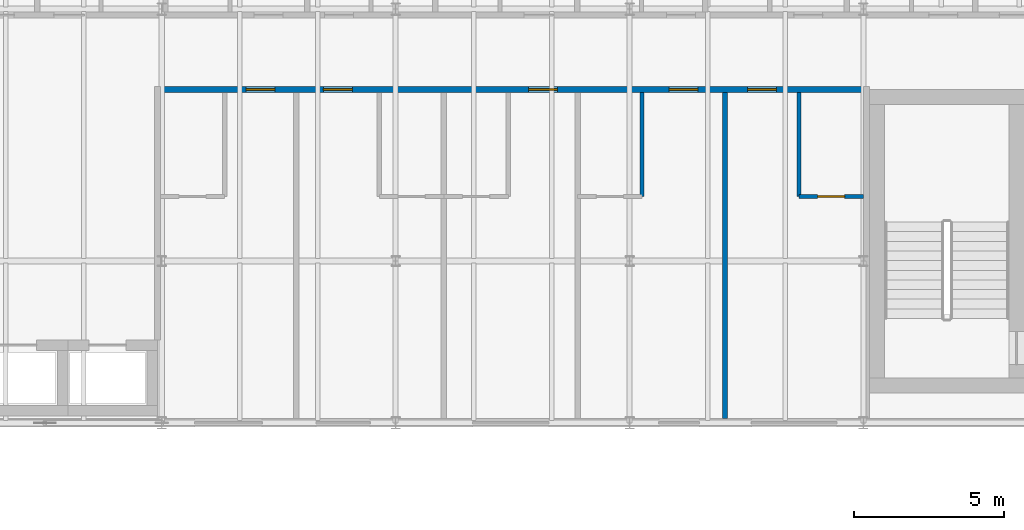
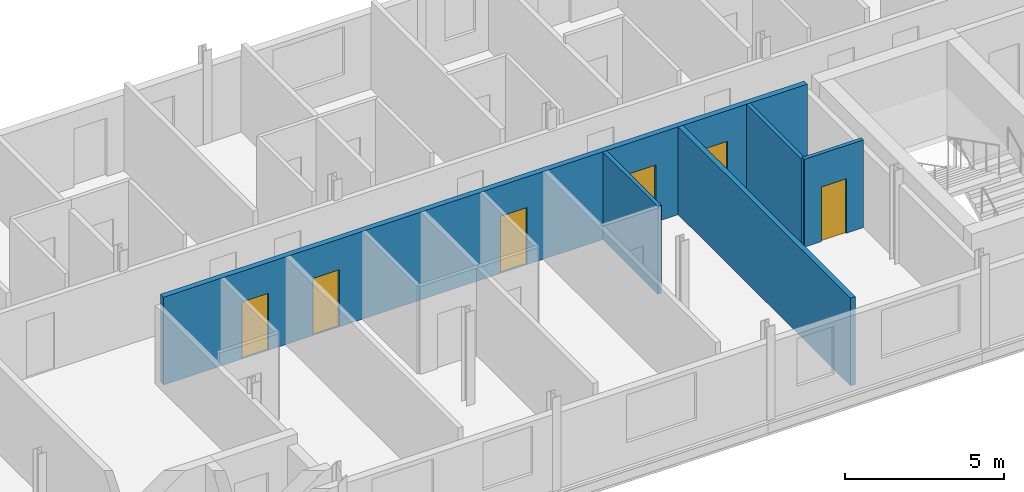
# One storey, part 17 of 25: 6 doors, 5 walls, 6 openings.
"""IFC4 building model written with IfcOpenShell, lengths in metres."""

from ifc_helpers import new_model, si_unit, direction, frame, frame_2d, origin, place, context, subcontext, project, spatial, rectangle, extrude, material, layer, layer_set, type_object, element, fill, save


model = new_model("IFC4")

# Units and contexts
model_context = context("Model", 3, precision=1e-05, world=origin(), true_north=direction((0.0, 1.0)))
body_context = subcontext(model_context, "Body", "Model", "MODEL_VIEW")
ifc_project = project(units=[si_unit("LENGTHUNIT", "METRE"), si_unit("AREAUNIT", "SQUARE_METRE"), si_unit("VOLUMEUNIT", "CUBIC_METRE"), si_unit("PLANEANGLEUNIT", "RADIAN"), si_unit("MASSUNIT", "GRAM", prefix="KILO")], contexts=[model_context])

# Site, building, storey
site_placement = place(None, origin())
site = spatial("IfcSite", under=ifc_project, at=site_placement, CompositionType="ELEMENT")
building_placement = place(site_placement, origin())
building = spatial("IfcBuilding", under=site, at=building_placement, Name="Sefraquen Railside Congress Hotel", CompositionType="ELEMENT")
storey_placement = place(building_placement, frame((0.0, 0.0, 39.0)))
storey = spatial("IfcBuildingStorey", under=building, at=storey_placement, Name="L09", CompositionType="ELEMENT", Elevation=39.0)

# Walls
ifc_material_1 = material(Name="Moisture-resistant gypsum board", Category="gypsum")
ifc_layer_1 = layer(ifc_material_1, 0.139892578125)
ifc_layer_set_1 = layer_set([ifc_layer_1], Name="Moisture-resistant gypsum board")
wall_type_1 = type_object("IfcWallType", Name="TW-PW-140", PredefinedType="PARTITIONING", material=ifc_layer_set_1)
for number, where, z_axis, x_axis, name in (
    (1, (56.820068359375, 103.550048828125, 0.0), (0.0, 0.0, 1.0), (0.0, 1.0, 0.0), "En-suite bathroom east wall RM-020"),
    (2, (62.050048828125, 103.550048828125, 0.0), (0.0, 0.0, 1.0), (0.0, 1.0, 0.0), "En-suite bathroom west wall RM-021"),
):
    element("IfcWall", number, at=place(storey_placement, frame(where, z_axis=z_axis, x_axis=x_axis)), inside=storey, type_object=wall_type_1, Name=name, PredefinedType="PARTITIONING", context=body_context, shape_type="SweptSolid", body=[
        extrude(rectangle(XDim=3.469970703125, YDim=0.139892578125, at=frame_2d((1.73486328125, 0.0))), origin(), (0.0, 0.0, 1.0), 3.3798828125),
    ])

# Wall, opening, door
wall_1_placement = place(storey_placement, frame((62.050048828125, 103.550048828125, 0.0), z_axis=(0.0, 0.0, 1.0), x_axis=(1.0, 0.0, 0.0)))
wall_1 = element("IfcWall", 3, at=wall_1_placement, inside=storey, type_object=wall_type_1, Name="En-suite bathroom south wall RM-021", PredefinedType="PARTITIONING", context=body_context, shape_type="SweptSolid", body=[
    extrude(rectangle(XDim=2.14990234375, YDim=0.139892578125, at=frame_2d((1.074951171875, 0.0))), origin(), (0.0, 0.0, 1.0), 3.3798828125),
])
opening_1_placement = place(wall_1_placement, frame((0.625, 0.0, 0.0)))
opening_1 = element("IfcOpeningElement", 4, at=opening_1_placement, cuts=wall_1, Name="Opening ID-02", PredefinedType="OPENING", context=body_context, shape_type="SweptSolid", body=[
    extrude(rectangle(XDim=0.89990234375, YDim=2.10009765625, at=frame_2d((0.449951171875, 1.050048828125))), frame((0.0, 0.079833984375, 0.0), z_axis=(0.0, -1.0, 0.0), x_axis=(1.0, 0.0, 0.0)), (0.0, 0.0, 1.0), 0.159912109375),
])
ifc_material_2 = material(Name="Lacquered cedar joinery", Category="wood")
door_type_1 = type_object("IfcDoorType", Name="TD-ID-02", OperationType="NOTDEFINED", PredefinedType="DOOR", material=ifc_material_2)
door_1_placement = place(opening_1_placement, frame((0.89990234375, 0.0, 0.0), z_axis=(0.0, 0.0, 1.0), x_axis=(-1.0, 0.0, 0.0)))
door_1 = element("IfcDoor", 5, at=door_1_placement, inside=storey, type_object=door_type_1, Name="En-suite bathroom door RM-021", OperationType="SINGLE_SWING_LEFT", OverallHeight=2.10009765625, OverallWidth=0.89990234375, PredefinedType="DOOR", context=body_context, shape_type="SweptSolid", body=[
    extrude(rectangle(XDim=0.89990234375, YDim=2.10009765625, at=frame_2d((0.449951171875, 1.050048828125))), frame((0.0, 0.02490234375, 0.0), z_axis=(0.0, -1.0, 0.0), x_axis=(1.0, 0.0, 0.0)), (0.0, 0.0, 1.0), 0.050048828125),
])
fill(opening_1, door_1)

# Wall
ifc_material_3 = material(Name="Acoustic gypsum board on metal stud", Category="gypsum")
ifc_layer_2 = layer(ifc_material_3, 0.179931640625)
ifc_layer_set_2 = layer_set([ifc_layer_2], Name="Acoustic gypsum board on metal stud")
wall_type_2 = type_object("IfcWallType", Name="TW-PW-180", PredefinedType="PARTITIONING", material=ifc_layer_set_2)
wall_2_placement = place(storey_placement, frame((59.5849609375, 96.139892578125, 0.0), z_axis=(0.0, 0.0, 1.0), x_axis=(0.0, 1.0, 0.0)))
element("IfcWall", 6, at=wall_2_placement, inside=storey, type_object=wall_type_2, Name="South guest room demising wall RM-020", PredefinedType="PARTITIONING", context=body_context, shape_type="SweptSolid", body=[
    extrude(rectangle(XDim=10.880126953125, YDim=0.179931640625, at=frame_2d((5.43994140625, 0.0))), origin(), (0.0, 0.0, 1.0), 3.3798828125),
])

# Wall, openings, doors
ifc_layer_3 = layer(ifc_material_3, 0.199951171875)
ifc_layer_set_3 = layer_set([ifc_layer_3], Name="Acoustic gypsum board on metal stud")
wall_type_3 = type_object("IfcWallType", Name="TW-PW-200", PredefinedType="PARTITIONING", material=ifc_layer_set_3)
wall_3_placement = place(storey_placement, frame((40.760009765625, 107.1201171875, 0.0), z_axis=(0.0, 0.0, 1.0), x_axis=(1.0, 0.0, 0.0)))
wall_3 = element("IfcWall", 7, at=wall_3_placement, inside=storey, type_object=wall_type_3, Name="Hotel L09 south-mid corridor fire-rated partition", PredefinedType="PARTITIONING", context=body_context, shape_type="SweptSolid", body=[
    extrude(rectangle(XDim=23.43994140625, YDim=0.199951171875, at=frame_2d((11.719970703125, 0.0))), origin(), (0.0, 0.0, 1.0), 3.3798828125),
])
opening_2_placement = place(wall_3_placement, frame((2.85498046875, 0.0, 0.0)))
opening_2 = element("IfcOpeningElement", 8, at=opening_2_placement, cuts=wall_3, Name="Opening GD-02", PredefinedType="OPENING", context=body_context, shape_type="SweptSolid", body=[
    extrude(rectangle(XDim=0.9599609375, YDim=2.199951171875, at=frame_2d((0.47998046875, 1.10009765625))), frame((0.0, 0.10986328125, 0.0), z_axis=(0.0, -1.0, 0.0), x_axis=(1.0, 0.0, 0.0)), (0.0, 0.0, 1.0), 0.219970703125),
])
opening_3_placement = place(wall_3_placement, frame((5.43310546875, 0.0, 0.0)))
opening_3 = element("IfcOpeningElement", 9, at=opening_3_placement, cuts=wall_3, Name="Opening GD-02", PredefinedType="OPENING", context=body_context, shape_type="SweptSolid", body=[
    extrude(rectangle(XDim=0.9599609375, YDim=2.199951171875, at=frame_2d((0.47998046875, 1.10009765625))), frame((0.0, 0.10986328125, 0.0), z_axis=(0.0, -1.0, 0.0), x_axis=(1.0, 0.0, 0.0)), (0.0, 0.0, 1.0), 0.219970703125),
])
opening_4_placement = place(wall_3_placement, frame((12.27294921875, 0.0, 0.0)))
opening_4 = element("IfcOpeningElement", 10, at=opening_4_placement, cuts=wall_3, Name="Opening GD-02", PredefinedType="OPENING", context=body_context, shape_type="SweptSolid", body=[
    extrude(rectangle(XDim=0.9599609375, YDim=2.199951171875, at=frame_2d((0.47998046875, 1.10009765625))), frame((0.0, 0.10986328125, 0.0), z_axis=(0.0, -1.0, 0.0), x_axis=(1.0, 0.0, 0.0)), (0.0, 0.0, 1.0), 0.219970703125),
])
opening_5_placement = place(wall_3_placement, frame((16.962890625, 0.0, 0.0)))
opening_5 = element("IfcOpeningElement", 11, at=opening_5_placement, cuts=wall_3, Name="Opening GD-02", PredefinedType="OPENING", context=body_context, shape_type="SweptSolid", body=[
    extrude(rectangle(XDim=0.9599609375, YDim=2.199951171875, at=frame_2d((0.47998046875, 1.10009765625))), frame((0.0, 0.10986328125, 0.0), z_axis=(0.0, -1.0, 0.0), x_axis=(1.0, 0.0, 0.0)), (0.0, 0.0, 1.0), 0.219970703125),
])
opening_6_placement = place(wall_3_placement, frame((19.577880859375, 0.0, 0.0)))
opening_6 = element("IfcOpeningElement", 12, at=opening_6_placement, cuts=wall_3, Name="Opening GD-02", PredefinedType="OPENING", context=body_context, shape_type="SweptSolid", body=[
    extrude(rectangle(XDim=0.9599609375, YDim=2.199951171875, at=frame_2d((0.47998046875, 1.10009765625))), frame((0.0, 0.10986328125, 0.0), z_axis=(0.0, -1.0, 0.0), x_axis=(1.0, 0.0, 0.0)), (0.0, 0.0, 1.0), 0.219970703125),
])
ifc_material_4 = material(Name="Solid Atlas cedar timber fire leaf", Category="wood")
door_type_2 = type_object("IfcDoorType", Name="TD-GD-02", OperationType="NOTDEFINED", PredefinedType="DOOR", material=ifc_material_4)
door_2_placement = place(opening_2_placement, frame((0.9599609375, 0.0, 0.0), z_axis=(0.0, 0.0, 1.0), x_axis=(-1.0, 0.0, 0.0)))
door_2 = element("IfcDoor", 13, at=door_2_placement, inside=storey, type_object=door_type_2, Name="Guest room entrance fire door RM-017", OperationType="SINGLE_SWING_RIGHT", OverallHeight=2.199951171875, OverallWidth=0.9599609375, PredefinedType="DOOR", context=body_context, shape_type="SweptSolid", body=[
    extrude(rectangle(XDim=0.9599609375, YDim=2.199951171875, at=frame_2d((0.47998046875, 1.10009765625))), frame((0.0, 0.02490234375, 0.0), z_axis=(0.0, -1.0, 0.0), x_axis=(1.0, 0.0, 0.0)), (0.0, 0.0, 1.0), 0.050048828125),
])
fill(opening_2, door_2)
door_3_placement = place(opening_3_placement, frame((0.9599609375, 0.0, 0.0), z_axis=(0.0, 0.0, 1.0), x_axis=(-1.0, 0.0, 0.0)))
door_3 = element("IfcDoor", 14, at=door_3_placement, inside=storey, type_object=door_type_2, Name="Guest room entrance fire door RM-018", OperationType="SINGLE_SWING_RIGHT", OverallHeight=2.199951171875, OverallWidth=0.9599609375, PredefinedType="DOOR", context=body_context, shape_type="SweptSolid", body=[
    extrude(rectangle(XDim=0.9599609375, YDim=2.199951171875, at=frame_2d((0.47998046875, 1.10009765625))), frame((0.0, 0.02490234375, 0.0), z_axis=(0.0, -1.0, 0.0), x_axis=(1.0, 0.0, 0.0)), (0.0, 0.0, 1.0), 0.050048828125),
])
fill(opening_3, door_3)
door_4_placement = place(opening_4_placement, frame((0.9599609375, 0.0, 0.0), z_axis=(0.0, 0.0, 1.0), x_axis=(-1.0, 0.0, 0.0)))
door_4 = element("IfcDoor", 15, at=door_4_placement, inside=storey, type_object=door_type_2, Name="Guest room entrance fire door RM-019", OperationType="SINGLE_SWING_RIGHT", OverallHeight=2.199951171875, OverallWidth=0.9599609375, PredefinedType="DOOR", context=body_context, shape_type="SweptSolid", body=[
    extrude(rectangle(XDim=0.9599609375, YDim=2.199951171875, at=frame_2d((0.47998046875, 1.10009765625))), frame((0.0, 0.02490234375, 0.0), z_axis=(0.0, -1.0, 0.0), x_axis=(1.0, 0.0, 0.0)), (0.0, 0.0, 1.0), 0.050048828125),
])
fill(opening_4, door_4)
door_5_placement = place(opening_5_placement, frame((0.9599609375, 0.0, 0.0), z_axis=(0.0, 0.0, 1.0), x_axis=(-1.0, 0.0, 0.0)))
door_5 = element("IfcDoor", 16, at=door_5_placement, inside=storey, type_object=door_type_2, Name="Guest room entrance fire door RM-020", OperationType="SINGLE_SWING_RIGHT", OverallHeight=2.199951171875, OverallWidth=0.9599609375, PredefinedType="DOOR", context=body_context, shape_type="SweptSolid", body=[
    extrude(rectangle(XDim=0.9599609375, YDim=2.199951171875, at=frame_2d((0.47998046875, 1.10009765625))), frame((0.0, 0.02490234375, 0.0), z_axis=(0.0, -1.0, 0.0), x_axis=(1.0, 0.0, 0.0)), (0.0, 0.0, 1.0), 0.050048828125),
])
fill(opening_5, door_5)
door_6_placement = place(opening_6_placement, frame((0.9599609375, 0.0, 0.0), z_axis=(0.0, 0.0, 1.0), x_axis=(-1.0, 0.0, 0.0)))
door_6 = element("IfcDoor", 17, at=door_6_placement, inside=storey, type_object=door_type_2, Name="Guest room entrance fire door RM-021", OperationType="SINGLE_SWING_RIGHT", OverallHeight=2.199951171875, OverallWidth=0.9599609375, PredefinedType="DOOR", context=body_context, shape_type="SweptSolid", body=[
    extrude(rectangle(XDim=0.9599609375, YDim=2.199951171875, at=frame_2d((0.47998046875, 1.10009765625))), frame((0.0, 0.02490234375, 0.0), z_axis=(0.0, -1.0, 0.0), x_axis=(1.0, 0.0, 0.0)), (0.0, 0.0, 1.0), 0.050048828125),
])
fill(opening_6, door_6)

save(model, "model.ifc")
